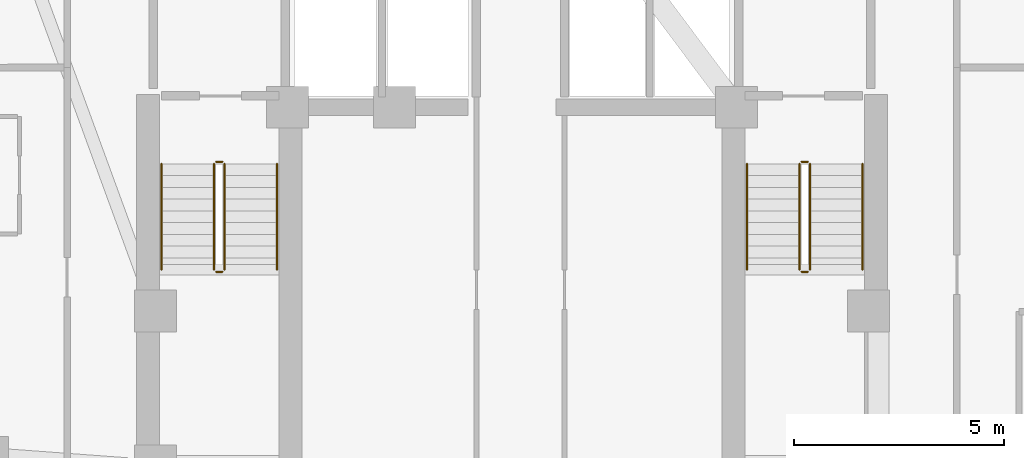
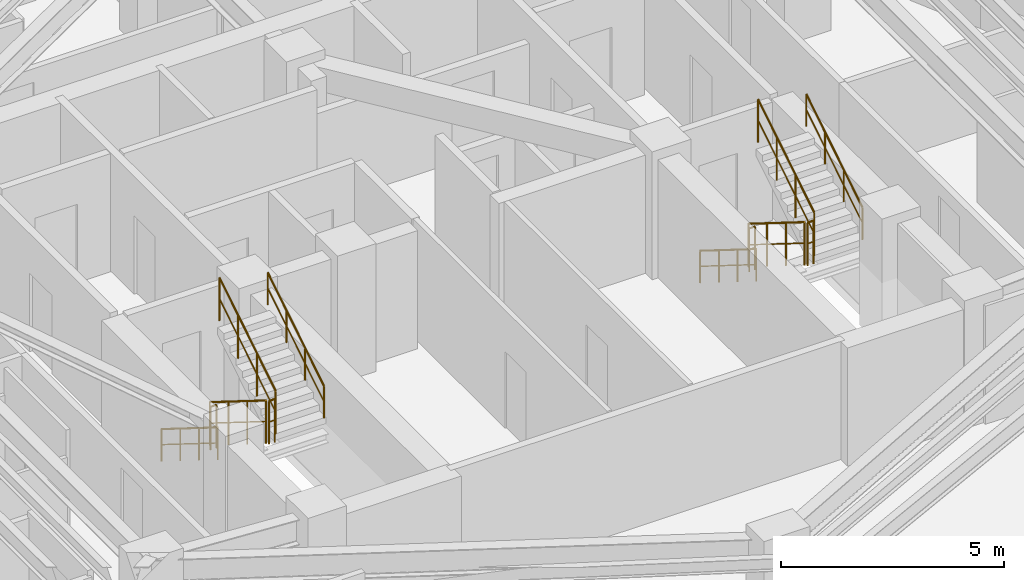
# One storey, part 10 of 10: 12 railings.
"""IFC4 building model written with IfcOpenShell, lengths in metres."""

from ifc_helpers import new_model, si_unit, direction, frame, origin, origin_2d, place, context, subcontext, project, spatial, circle, extrude, material, type_object, element, save


model = new_model("IFC4")

# Units and contexts
model_context = context("Model", 3, precision=1e-05, world=origin(), true_north=direction((0.0, 1.0)))
body_context = subcontext(model_context, "Body", "Model", "MODEL_VIEW")
ifc_project = project(units=[si_unit("LENGTHUNIT", "METRE"), si_unit("AREAUNIT", "SQUARE_METRE"), si_unit("VOLUMEUNIT", "CUBIC_METRE"), si_unit("PLANEANGLEUNIT", "RADIAN"), si_unit("MASSUNIT", "GRAM", prefix="KILO")], contexts=[model_context])

# Site, building, storey
site_placement = place(None, origin())
site = spatial("IfcSite", under=ifc_project, at=site_placement, CompositionType="ELEMENT")
building_placement = place(site_placement, origin())
building = spatial("IfcBuilding", under=site, at=building_placement, Name="Miruveldt Soraemaru", CompositionType="ELEMENT")
storey_placement = place(building_placement, frame((0.0, 0.0, 166.89990234375)))
storey = spatial("IfcBuildingStorey", under=building, at=storey_placement, Name="L46", CompositionType="ELEMENT", Elevation=166.89990234375)

# Railings
ifc_material = material(Name="Steel S355 (355 MPa)", Category="steel")
railing_type_1 = type_object("IfcRailingType", Name="RAIL-HR-900", PredefinedType="HANDRAIL", material=ifc_material)
railing_1_placement = place(storey_placement, frame((35.64990234375, 42.699951171875, 0.175048828125)))
element("IfcRailing", 1, at=railing_1_placement, inside=storey, type_object=railing_type_1, Name="L46 ST-1 stair handrail 1", PredefinedType="HANDRAIL", context=body_context, shape_type="SweptSolid", body=[
    extrude(circle(Radius=0.02392578125, at=origin_2d()), frame((0.0, 0.0, 0.8759765625), z_axis=(0.0, -0.848007534815, 0.529984170421), x_axis=(1.0, 0.0, 0.0)), (0.0, 0.0, 1.0), 2.9716796875),
    extrude(circle(Radius=0.01611328125, at=origin_2d()), frame((0.0, 0.0, 0.449951171875), z_axis=(0.0, -0.848007534815, 0.529984170421), x_axis=(1.0, 0.0, 0.0)), (0.0, 0.0, 1.0), 2.9716796875),
    extrude(circle(Radius=0.02099609375, at=origin_2d()), origin(), (0.0, 0.0, 1.0), 0.851806640625),
    extrude(circle(Radius=0.02099609375, at=origin_2d()), frame((0.0, -0.840087890625, 0.52490234375)), (0.0, 0.0, 1.0), 0.851806640625),
    extrude(circle(Radius=0.02099609375, at=origin_2d()), frame((0.0, -1.679931640625, 1.050048828125)), (0.0, 0.0, 1.0), 0.851806640625),
    extrude(circle(Radius=0.02099609375, at=origin_2d()), frame((0.0, -2.52001953125, 1.574951171875)), (0.0, 0.0, 1.0), 0.851806640625),
])
railing_2_placement = place(storey_placement, frame((38.39990234375, 40.179931640625, 1.925048828125)))
element("IfcRailing", 2, at=railing_2_placement, inside=storey, type_object=railing_type_1, Name="L46 ST-1 stair handrail 2", PredefinedType="HANDRAIL", context=body_context, shape_type="SweptSolid", body=[
    extrude(circle(Radius=0.02392578125, at=origin_2d()), frame((0.0, 0.0, 0.8759765625), z_axis=(0.0, 0.848007534815, 0.529984170421), x_axis=(-1.0, 0.0, 0.0)), (0.0, 0.0, 1.0), 2.9716796875),
    extrude(circle(Radius=0.01611328125, at=origin_2d()), frame((0.0, 0.0, 0.449951171875), z_axis=(0.0, 0.848007534815, 0.529984170421), x_axis=(-1.0, 0.0, 0.0)), (0.0, 0.0, 1.0), 2.9716796875),
    extrude(circle(Radius=0.02099609375, at=origin_2d()), origin(), (0.0, 0.0, 1.0), 0.851806640625),
    extrude(circle(Radius=0.02099609375, at=origin_2d()), frame((0.0, 0.840087890625, 0.52490234375)), (0.0, 0.0, 1.0), 0.851806640625),
    extrude(circle(Radius=0.02099609375, at=origin_2d()), frame((0.0, 1.679931640625, 1.050048828125)), (0.0, 0.0, 1.0), 0.851806640625),
    extrude(circle(Radius=0.02099609375, at=origin_2d()), frame((0.0, 2.52001953125, 1.574951171875)), (0.0, 0.0, 1.0), 0.851806640625),
])
railing_3_placement = place(storey_placement, frame((49.60009765625, 42.699951171875, 0.175048828125)))
element("IfcRailing", 3, at=railing_3_placement, inside=storey, type_object=railing_type_1, Name="L46 ST-2 stair handrail 1", PredefinedType="HANDRAIL", context=body_context, shape_type="SweptSolid", body=[
    extrude(circle(Radius=0.02392578125, at=origin_2d()), frame((0.0, 0.0, 0.8759765625), z_axis=(0.0, -0.848007534815, 0.529984170421), x_axis=(1.0, 0.0, 0.0)), (0.0, 0.0, 1.0), 2.9716796875),
    extrude(circle(Radius=0.01611328125, at=origin_2d()), frame((0.0, 0.0, 0.449951171875), z_axis=(0.0, -0.848007534815, 0.529984170421), x_axis=(1.0, 0.0, 0.0)), (0.0, 0.0, 1.0), 2.9716796875),
    extrude(circle(Radius=0.02099609375, at=origin_2d()), origin(), (0.0, 0.0, 1.0), 0.851806640625),
    extrude(circle(Radius=0.02099609375, at=origin_2d()), frame((0.0, -0.840087890625, 0.52490234375)), (0.0, 0.0, 1.0), 0.851806640625),
    extrude(circle(Radius=0.02099609375, at=origin_2d()), frame((0.0, -1.679931640625, 1.050048828125)), (0.0, 0.0, 1.0), 0.851806640625),
    extrude(circle(Radius=0.02099609375, at=origin_2d()), frame((0.0, -2.52001953125, 1.574951171875)), (0.0, 0.0, 1.0), 0.851806640625),
])
railing_4_placement = place(storey_placement, frame((52.35009765625, 40.179931640625, 1.925048828125)))
element("IfcRailing", 4, at=railing_4_placement, inside=storey, type_object=railing_type_1, Name="L46 ST-2 stair handrail 2", PredefinedType="HANDRAIL", context=body_context, shape_type="SweptSolid", body=[
    extrude(circle(Radius=0.02392578125, at=origin_2d()), frame((0.0, 0.0, 0.8759765625), z_axis=(0.0, 0.848007534815, 0.529984170421), x_axis=(-1.0, 0.0, 0.0)), (0.0, 0.0, 1.0), 2.9716796875),
    extrude(circle(Radius=0.01611328125, at=origin_2d()), frame((0.0, 0.0, 0.449951171875), z_axis=(0.0, 0.848007534815, 0.529984170421), x_axis=(-1.0, 0.0, 0.0)), (0.0, 0.0, 1.0), 2.9716796875),
    extrude(circle(Radius=0.02099609375, at=origin_2d()), origin(), (0.0, 0.0, 1.0), 0.851806640625),
    extrude(circle(Radius=0.02099609375, at=origin_2d()), frame((0.0, 0.840087890625, 0.52490234375)), (0.0, 0.0, 1.0), 0.851806640625),
    extrude(circle(Radius=0.02099609375, at=origin_2d()), frame((0.0, 1.679931640625, 1.050048828125)), (0.0, 0.0, 1.0), 0.851806640625),
    extrude(circle(Radius=0.02099609375, at=origin_2d()), frame((0.0, 2.52001953125, 1.574951171875)), (0.0, 0.0, 1.0), 0.851806640625),
])
railing_type_2 = type_object("IfcRailingType", Name="RAIL-STGUARD-1200", PredefinedType="GUARDRAIL", material=ifc_material)
railing_5_placement = place(storey_placement, frame((36.89990234375, 42.699951171875, 0.175048828125)))
element("IfcRailing", 5, at=railing_5_placement, inside=storey, type_object=railing_type_2, Name="L46 ST-1 stair guard 1", PredefinedType="GUARDRAIL", context=body_context, shape_type="SweptSolid", body=[
    extrude(circle(Radius=0.02392578125, at=origin_2d()), frame((0.0, 0.0, 1.17578125), z_axis=(0.0, -0.848007534815, 0.529984170421), x_axis=(1.0, 0.0, 0.0)), (0.0, 0.0, 1.0), 2.9716796875),
    extrude(circle(Radius=0.01611328125, at=origin_2d()), frame((0.0, 0.0, 0.60009765625), z_axis=(0.0, -0.848007534815, 0.529984170421), x_axis=(1.0, 0.0, 0.0)), (0.0, 0.0, 1.0), 2.9716796875),
    extrude(circle(Radius=0.02099609375, at=origin_2d()), origin(), (0.0, 0.0, 1.0), 1.15185546875),
    extrude(circle(Radius=0.02099609375, at=origin_2d()), frame((0.0, -0.840087890625, 0.52490234375)), (0.0, 0.0, 1.0), 1.15185546875),
    extrude(circle(Radius=0.02099609375, at=origin_2d()), frame((0.0, -1.679931640625, 1.050048828125)), (0.0, 0.0, 1.0), 1.15185546875),
    extrude(circle(Radius=0.02099609375, at=origin_2d()), frame((0.0, -2.52001953125, 1.574951171875)), (0.0, 0.0, 1.0), 1.15185546875),
])
railing_6_placement = place(storey_placement, frame((36.949951171875, 40.1298828125, 1.75)))
element("IfcRailing", 6, at=railing_6_placement, inside=storey, type_object=railing_type_2, Name="L46 ST-1 stair guard 2", PredefinedType="GUARDRAIL", context=body_context, shape_type="SweptSolid", body=[
    extrude(circle(Radius=0.02392578125, at=origin_2d()), frame((0.0, 0.0, 1.17578125), z_axis=(1.0, 0.0, 0.0), x_axis=(0.0, 1.0, 0.0)), (0.0, 0.0, 1.0), 0.150146484375),
    extrude(circle(Radius=0.01611328125, at=origin_2d()), frame((0.0, 0.0, 0.60009765625), z_axis=(1.0, 0.0, 0.0), x_axis=(0.0, 1.0, 0.0)), (0.0, 0.0, 1.0), 0.150146484375),
    extrude(circle(Radius=0.02099609375, at=origin_2d()), origin(), (0.0, 0.0, 1.0), 1.15185546875),
    extrude(circle(Radius=0.02099609375, at=origin_2d()), frame((0.150146484375, 0.0, 0.0)), (0.0, 0.0, 1.0), 1.15185546875),
])
railing_7_placement = place(storey_placement, frame((37.14990234375, 40.179931640625, 1.925048828125)))
element("IfcRailing", 7, at=railing_7_placement, inside=storey, type_object=railing_type_2, Name="L46 ST-1 stair guard 3", PredefinedType="GUARDRAIL", context=body_context, shape_type="SweptSolid", body=[
    extrude(circle(Radius=0.02392578125, at=origin_2d()), frame((0.0, 0.0, 1.17578125), z_axis=(0.0, 0.848007534815, 0.529984170421), x_axis=(-1.0, 0.0, 0.0)), (0.0, 0.0, 1.0), 2.9716796875),
    extrude(circle(Radius=0.01611328125, at=origin_2d()), frame((0.0, 0.0, 0.60009765625), z_axis=(0.0, 0.848007534815, 0.529984170421), x_axis=(-1.0, 0.0, 0.0)), (0.0, 0.0, 1.0), 2.9716796875),
    extrude(circle(Radius=0.02099609375, at=origin_2d()), origin(), (0.0, 0.0, 1.0), 1.15185546875),
    extrude(circle(Radius=0.02099609375, at=origin_2d()), frame((0.0, 0.840087890625, 0.52490234375)), (0.0, 0.0, 1.0), 1.15185546875),
    extrude(circle(Radius=0.02099609375, at=origin_2d()), frame((0.0, 1.679931640625, 1.050048828125)), (0.0, 0.0, 1.0), 1.15185546875),
    extrude(circle(Radius=0.02099609375, at=origin_2d()), frame((0.0, 2.52001953125, 1.574951171875)), (0.0, 0.0, 1.0), 1.15185546875),
])
railing_8_placement = place(storey_placement, frame((36.949951171875, 42.75, 0.0)))
element("IfcRailing", 8, at=railing_8_placement, inside=storey, type_object=railing_type_2, Name="L46 ST-1 stair guard 4", PredefinedType="GUARDRAIL", context=body_context, shape_type="SweptSolid", body=[
    extrude(circle(Radius=0.02392578125, at=origin_2d()), frame((0.0, 0.0, 1.17578125), z_axis=(1.0, 0.0, 0.0), x_axis=(0.0, 1.0, 0.0)), (0.0, 0.0, 1.0), 0.150146484375),
    extrude(circle(Radius=0.01611328125, at=origin_2d()), frame((0.0, 0.0, 0.60009765625), z_axis=(1.0, 0.0, 0.0), x_axis=(0.0, 1.0, 0.0)), (0.0, 0.0, 1.0), 0.150146484375),
    extrude(circle(Radius=0.02099609375, at=origin_2d()), origin(), (0.0, 0.0, 1.0), 1.15185546875),
    extrude(circle(Radius=0.02099609375, at=origin_2d()), frame((0.150146484375, 0.0, 0.0)), (0.0, 0.0, 1.0), 1.15185546875),
])
railing_9_placement = place(storey_placement, frame((50.85009765625, 42.699951171875, 0.175048828125)))
element("IfcRailing", 9, at=railing_9_placement, inside=storey, type_object=railing_type_2, Name="L46 ST-2 stair guard 1", PredefinedType="GUARDRAIL", context=body_context, shape_type="SweptSolid", body=[
    extrude(circle(Radius=0.02392578125, at=origin_2d()), frame((0.0, 0.0, 1.17578125), z_axis=(0.0, -0.848007534815, 0.529984170421), x_axis=(1.0, 0.0, 0.0)), (0.0, 0.0, 1.0), 2.9716796875),
    extrude(circle(Radius=0.01611328125, at=origin_2d()), frame((0.0, 0.0, 0.60009765625), z_axis=(0.0, -0.848007534815, 0.529984170421), x_axis=(1.0, 0.0, 0.0)), (0.0, 0.0, 1.0), 2.9716796875),
    extrude(circle(Radius=0.02099609375, at=origin_2d()), origin(), (0.0, 0.0, 1.0), 1.15185546875),
    extrude(circle(Radius=0.02099609375, at=origin_2d()), frame((0.0, -0.840087890625, 0.52490234375)), (0.0, 0.0, 1.0), 1.15185546875),
    extrude(circle(Radius=0.02099609375, at=origin_2d()), frame((0.0, -1.679931640625, 1.050048828125)), (0.0, 0.0, 1.0), 1.15185546875),
    extrude(circle(Radius=0.02099609375, at=origin_2d()), frame((0.0, -2.52001953125, 1.574951171875)), (0.0, 0.0, 1.0), 1.15185546875),
])
railing_10_placement = place(storey_placement, frame((50.89990234375, 40.1298828125, 1.75)))
element("IfcRailing", 10, at=railing_10_placement, inside=storey, type_object=railing_type_2, Name="L46 ST-2 stair guard 2", PredefinedType="GUARDRAIL", context=body_context, shape_type="SweptSolid", body=[
    extrude(circle(Radius=0.02392578125, at=origin_2d()), frame((0.0, 0.0, 1.17578125), z_axis=(1.0, 0.0, 0.0), x_axis=(0.0, 1.0, 0.0)), (0.0, 0.0, 1.0), 0.150146484375),
    extrude(circle(Radius=0.01611328125, at=origin_2d()), frame((0.0, 0.0, 0.60009765625), z_axis=(1.0, 0.0, 0.0), x_axis=(0.0, 1.0, 0.0)), (0.0, 0.0, 1.0), 0.150146484375),
    extrude(circle(Radius=0.02099609375, at=origin_2d()), origin(), (0.0, 0.0, 1.0), 1.15185546875),
    extrude(circle(Radius=0.02099609375, at=origin_2d()), frame((0.150146484375, 0.0, 0.0)), (0.0, 0.0, 1.0), 1.15185546875),
])
railing_11_placement = place(storey_placement, frame((51.10009765625, 40.179931640625, 1.925048828125)))
element("IfcRailing", 11, at=railing_11_placement, inside=storey, type_object=railing_type_2, Name="L46 ST-2 stair guard 3", PredefinedType="GUARDRAIL", context=body_context, shape_type="SweptSolid", body=[
    extrude(circle(Radius=0.02392578125, at=origin_2d()), frame((0.0, 0.0, 1.17578125), z_axis=(0.0, 0.848007534815, 0.529984170421), x_axis=(-1.0, 0.0, 0.0)), (0.0, 0.0, 1.0), 2.9716796875),
    extrude(circle(Radius=0.01611328125, at=origin_2d()), frame((0.0, 0.0, 0.60009765625), z_axis=(0.0, 0.848007534815, 0.529984170421), x_axis=(-1.0, 0.0, 0.0)), (0.0, 0.0, 1.0), 2.9716796875),
    extrude(circle(Radius=0.02099609375, at=origin_2d()), origin(), (0.0, 0.0, 1.0), 1.15185546875),
    extrude(circle(Radius=0.02099609375, at=origin_2d()), frame((0.0, 0.840087890625, 0.52490234375)), (0.0, 0.0, 1.0), 1.15185546875),
    extrude(circle(Radius=0.02099609375, at=origin_2d()), frame((0.0, 1.679931640625, 1.050048828125)), (0.0, 0.0, 1.0), 1.15185546875),
    extrude(circle(Radius=0.02099609375, at=origin_2d()), frame((0.0, 2.52001953125, 1.574951171875)), (0.0, 0.0, 1.0), 1.15185546875),
])
railing_12_placement = place(storey_placement, frame((50.89990234375, 42.75, 0.0)))
element("IfcRailing", 12, at=railing_12_placement, inside=storey, type_object=railing_type_2, Name="L46 ST-2 stair guard 4", PredefinedType="GUARDRAIL", context=body_context, shape_type="SweptSolid", body=[
    extrude(circle(Radius=0.02392578125, at=origin_2d()), frame((0.0, 0.0, 1.17578125), z_axis=(1.0, 0.0, 0.0), x_axis=(0.0, 1.0, 0.0)), (0.0, 0.0, 1.0), 0.150146484375),
    extrude(circle(Radius=0.01611328125, at=origin_2d()), frame((0.0, 0.0, 0.60009765625), z_axis=(1.0, 0.0, 0.0), x_axis=(0.0, 1.0, 0.0)), (0.0, 0.0, 1.0), 0.150146484375),
    extrude(circle(Radius=0.02099609375, at=origin_2d()), origin(), (0.0, 0.0, 1.0), 1.15185546875),
    extrude(circle(Radius=0.02099609375, at=origin_2d()), frame((0.150146484375, 0.0, 0.0)), (0.0, 0.0, 1.0), 1.15185546875),
])

save(model, "model.ifc")
